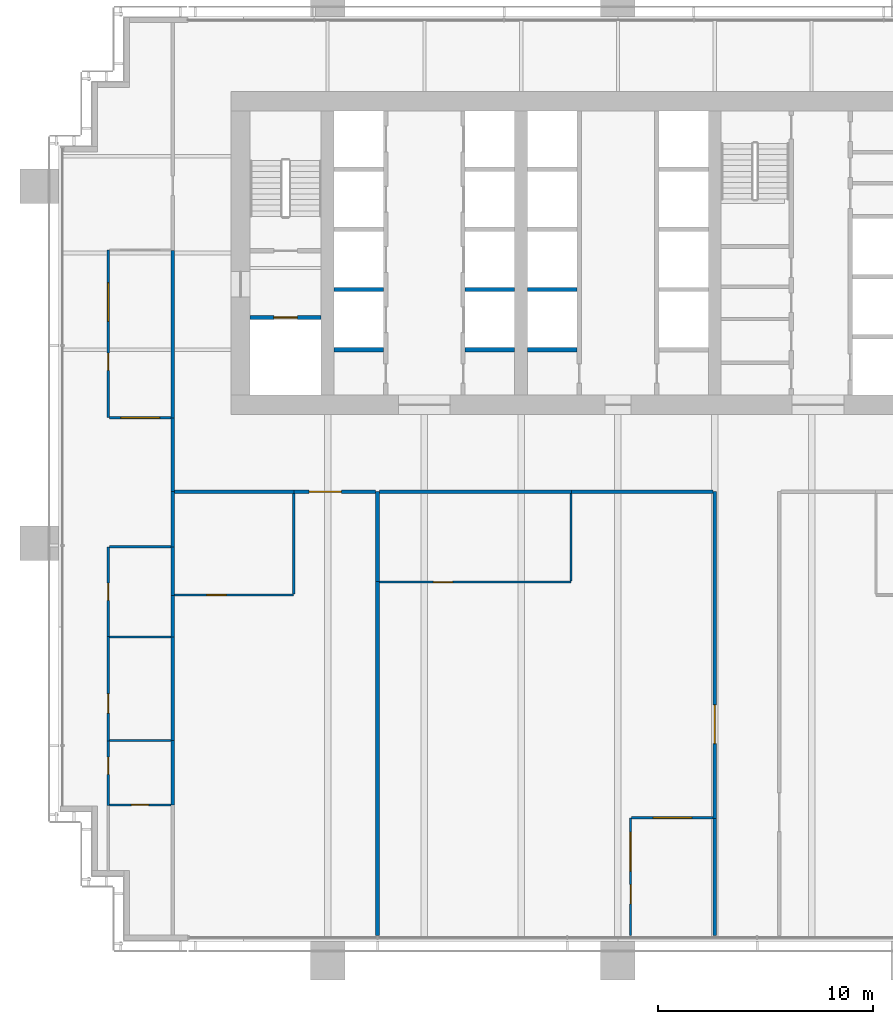
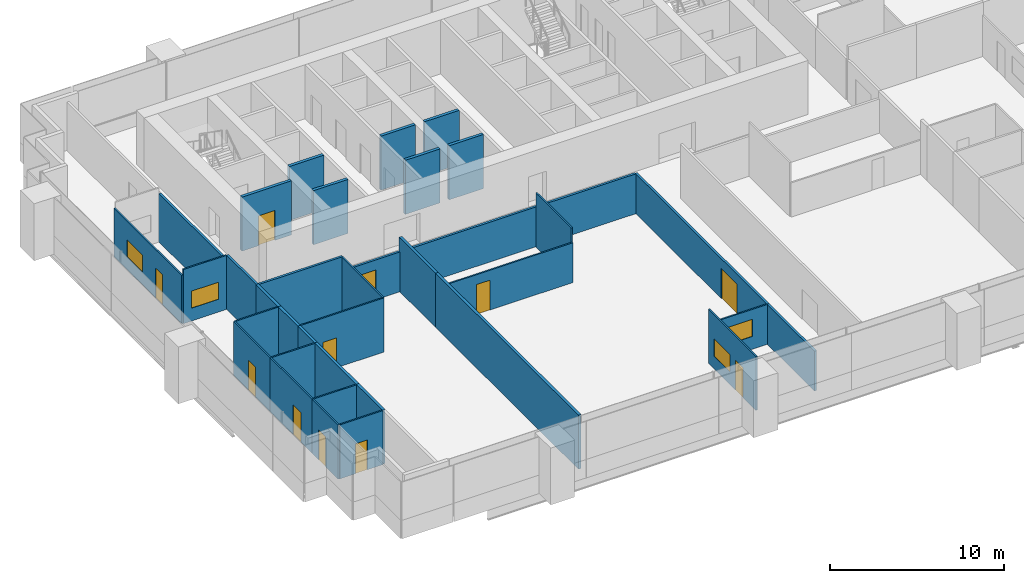
# One storey, part 12 of 19: 37 walls, 11 doors, 4 windows, 15 openings.
"""IFC4 building model written with IfcOpenShell, lengths in metres."""

from ifc_helpers import new_model, si_unit, direction, frame, frame_2d, origin, place, context, subcontext, project, spatial, rectangle, extrude, material, layer, layer_set, type_object, element, fill, save


model = new_model("IFC4")

# Units and contexts
model_context = context("Model", 3, precision=1e-05, world=origin(), true_north=direction((0.0, 1.0)))
body_context = subcontext(model_context, "Body", "Model", "MODEL_VIEW")
ifc_project = project(units=[si_unit("LENGTHUNIT", "METRE"), si_unit("AREAUNIT", "SQUARE_METRE"), si_unit("VOLUMEUNIT", "CUBIC_METRE"), si_unit("PLANEANGLEUNIT", "RADIAN"), si_unit("MASSUNIT", "GRAM", prefix="KILO")], contexts=[model_context])

# Site, building, storey
site_placement = place(None, origin())
site = spatial("IfcSite", under=ifc_project, at=site_placement, CompositionType="ELEMENT")
building_placement = place(site_placement, origin())
building = spatial("IfcBuilding", under=site, at=building_placement, Name="Rattan Terrace Tower", CompositionType="ELEMENT")
storey_placement = place(building_placement, frame((0.0, 0.0, 99.699951171875)))
storey = spatial("IfcBuildingStorey", under=building, at=storey_placement, Name="L22", CompositionType="ELEMENT", Elevation=99.699951171875)

# Wall, opening, door
ifc_material_1 = material(Name="Gypsum board partition")
ifc_layer_1 = layer(ifc_material_1, 0.199951171875)
ifc_layer_set_1 = layer_set([ifc_layer_1], Name="Core partition 200")
wall_type_1 = type_object("IfcWallType", Name="Core partition 200", PredefinedType="PARTITIONING", material=ifc_layer_set_1)
wall_1_placement = place(storey_placement, frame((-17.10009765625, -3.0, 0.0), z_axis=(0.0, 0.0, 1.0), x_axis=(1.0, 0.0, 0.0)))
wall_1 = element("IfcWall", 1, at=wall_1_placement, inside=storey, type_object=wall_type_1, Name="Fire-fighting lobby wall", PredefinedType="PARTITIONING", context=body_context, shape_type="SweptSolid", body=[
    extrude(rectangle(XDim=3.300048828125, YDim=0.199951171875, at=frame_2d((1.64990234375, 0.0))), origin(), (0.0, 0.0, 1.0), 3.800048828125),
])
opening_1_placement = place(wall_1_placement, frame((1.10009765625, 0.0, 0.0)))
opening_1 = element("IfcOpeningElement", 2, at=opening_1_placement, cuts=wall_1, Name="Opening L22-LD-FF1", PredefinedType="OPENING", context=body_context, shape_type="SweptSolid", body=[
    extrude(rectangle(XDim=1.10009765625, YDim=2.10009765625, at=frame_2d((0.550048828125, 1.050048828125))), frame((0.0, 0.110595703125, 0.0), z_axis=(0.0, -1.0, 0.0), x_axis=(1.0, 0.0, 0.0)), (0.0, 0.0, 1.0), 0.220947265625),
])
ifc_material_2 = material(Name="Brushed stainless landing door panel")
door_type_1 = type_object("IfcDoorType", Name="Core lift landing door 1100", OperationType="DOUBLE_DOOR_SLIDING", PredefinedType="DOOR", material=ifc_material_2)
door_1_placement = place(opening_1_placement, origin())
door_1 = element("IfcDoor", 3, at=door_1_placement, inside=storey, type_object=door_type_1, Name="Door L22-LD-FF1", OperationType="DOUBLE_DOOR_SLIDING", OverallHeight=2.10009765625, OverallWidth=1.10009765625, PredefinedType="DOOR", context=body_context, shape_type="SweptSolid", body=[
    extrude(rectangle(XDim=1.10009765625, YDim=2.10009765625, at=frame_2d((0.550048828125, 1.050048828125))), frame((0.0, 0.02490234375, 0.0), z_axis=(0.0, -1.0, 0.0), x_axis=(1.0, 0.0, 0.0)), (0.0, 0.0, 1.0), 0.050048828125),
])
fill(opening_1, door_1)

# Walls
ifc_material_3 = material(Name="Double steel stud acoustic partition, gypsum board, mineral wool, fire rated", Category="steel")
ifc_layer_2 = layer(ifc_material_3, 0.179931640625)
ifc_layer_set_2 = layer_set([ifc_layer_2], Name="Floors Acoustic Party Wall 180")
wall_type_2 = type_object("IfcWallType", Name="Floors Acoustic Party Wall 180", PredefinedType="PARTITIONING", material=ifc_layer_set_2)
wall_2_placement = place(storey_placement, frame((-20.699951171875, -11.080078125, 0.0), z_axis=(0.0, 0.0, 1.0), x_axis=(0.0, -1.0, 0.0)))
element("IfcWall", 4, at=wall_2_placement, inside=storey, type_object=wall_type_2, Name="pt-L22-026", PredefinedType="PARTITIONING", context=body_context, shape_type="SweptSolid", body=[
    extrude(rectangle(XDim=2.579833984375, YDim=0.179931640625, at=frame_2d((1.2900390625, 0.0))), origin(), (0.0, 0.0, 1.0), 3.800048828125),
])
wall_3_placement = place(storey_placement, frame((-20.699951171875, -22.659912109375, 0.0), z_axis=(0.0, 0.0, 1.0), x_axis=(0.0, -1.0, 0.0)))
element("IfcWall", 5, at=wall_3_placement, inside=storey, type_object=wall_type_2, Name="pt-L22-030", PredefinedType="PARTITIONING", context=body_context, shape_type="SweptSolid", body=[
    extrude(rectangle(XDim=3.0, YDim=0.179931640625, at=frame_2d((1.5, 0.0))), origin(), (0.0, 0.0, 1.0), 3.800048828125),
])
wall_4_placement = place(storey_placement, frame((-20.699951171875, -17.860107421875, 0.0), z_axis=(0.0, 0.0, 1.0), x_axis=(0.0, -1.0, 0.0)))
element("IfcWall", 6, at=wall_4_placement, inside=storey, type_object=wall_type_2, Name="pt-L22-032", PredefinedType="PARTITIONING", context=body_context, shape_type="SweptSolid", body=[
    extrude(rectangle(XDim=4.7998046875, YDim=0.179931640625, at=frame_2d((2.39990234375, 0.0))), origin(), (0.0, 0.0, 1.0), 3.800048828125),
])
wall_5_placement = place(storey_placement, frame((-20.699951171875, -15.919921875, 0.0), z_axis=(0.0, 0.0, 1.0), x_axis=(0.0, -1.0, 0.0)))
element("IfcWall", 7, at=wall_5_placement, inside=storey, type_object=wall_type_2, Name="pt-L22-033", PredefinedType="PARTITIONING", context=body_context, shape_type="SweptSolid", body=[
    extrude(rectangle(XDim=1.940185546875, YDim=0.179931640625, at=frame_2d((0.97021484375, 0.0))), origin(), (0.0, 0.0, 1.0), 3.800048828125),
])
wall_6_placement = place(storey_placement, frame((-20.699951171875, -13.659912109375, 0.0), z_axis=(0.0, 0.0, 1.0), x_axis=(0.0, -1.0, 0.0)))
element("IfcWall", 8, at=wall_6_placement, inside=storey, type_object=wall_type_2, Name="pt-L22-034", PredefinedType="PARTITIONING", context=body_context, shape_type="SweptSolid", body=[
    extrude(rectangle(XDim=2.260009765625, YDim=0.179931640625, at=frame_2d((1.1298828125, 0.0))), origin(), (0.0, 0.0, 1.0), 3.800048828125),
])
wall_7_placement = place(storey_placement, frame((-11.176025390625, -15.280029296875, 0.0), z_axis=(0.0, 0.0, 1.0), x_axis=(0.0, -1.0, 0.0)))
element("IfcWall", 9, at=wall_7_placement, inside=storey, type_object=wall_type_2, Name="pt-L22-059", PredefinedType="PARTITIONING", context=body_context, shape_type="SweptSolid", body=[
    extrude(rectangle(XDim=16.4599609375, YDim=0.179931640625, at=frame_2d((8.22998046875, 0.0))), origin(), (0.0, 0.0, 1.0), 3.800048828125),
])
wall_8_placement = place(storey_placement, frame((-11.176025390625, -11.10009765625, 0.0), z_axis=(0.0, 0.0, 1.0), x_axis=(0.0, -1.0, 0.0)))
element("IfcWall", 10, at=wall_8_placement, inside=storey, type_object=wall_type_2, Name="pt-L22-060", PredefinedType="PARTITIONING", context=body_context, shape_type="SweptSolid", body=[
    extrude(rectangle(XDim=4.179931640625, YDim=0.179931640625, at=frame_2d((2.08984375, 0.0))), origin(), (0.0, 0.0, 1.0), 3.800048828125),
])

# Wall, opening, door
ifc_material_4 = material(Name="Gypsum board partition on steel studs", Category="steel")
ifc_layer_3 = layer(ifc_material_4, 0.10009765625)
ifc_layer_set_3 = layer_set([ifc_layer_3], Name="Floors Partition 100")
wall_type_3 = type_object("IfcWallType", Name="Floors Partition 100", PredefinedType="PARTITIONING", material=ifc_layer_set_3)
wall_9_placement = place(storey_placement, frame((-23.699951171875, -22.679931640625, 0.0), z_axis=(0.0, 0.0, 1.0), x_axis=(0.0, -1.0, 0.0)))
wall_9 = element("IfcWall", 11, at=wall_9_placement, inside=storey, type_object=wall_type_3, Name="pt-L22-019", PredefinedType="PARTITIONING", context=body_context, shape_type="SweptSolid", body=[
    extrude(rectangle(XDim=3.0, YDim=0.10009765625, at=frame_2d((1.5, 0.0))), origin(), (0.0, 0.0, 1.0), 3.800048828125),
])
opening_2_placement = place(wall_9_placement, frame((0.760009765625, 0.0, 0.0)))
opening_2 = element("IfcOpeningElement", 12, at=opening_2_placement, cuts=wall_9, Name="Opening L22-D102", PredefinedType="OPENING", context=body_context, shape_type="SweptSolid", body=[
    extrude(rectangle(XDim=0.800048828125, YDim=2.10009765625, at=frame_2d((0.39990234375, 1.050048828125))), frame((0.0, 0.060546875, 0.0), z_axis=(0.0, -1.0, 0.0), x_axis=(1.0, 0.0, 0.0)), (0.0, 0.0, 1.0), 0.12109375),
])
ifc_material_5 = material(Name="Solid core timber door, painted", Category="wood")
door_type_2 = type_object("IfcDoorType", Name="Floors Store Door 800x2100", OperationType="NOTDEFINED", PredefinedType="DOOR", material=ifc_material_5)
door_2_placement = place(opening_2_placement, origin())
door_2 = element("IfcDoor", 13, at=door_2_placement, inside=storey, type_object=door_type_2, Name="d-L22-102", OperationType="SINGLE_SWING_LEFT", OverallHeight=2.10009765625, OverallWidth=0.800048828125, PredefinedType="DOOR", context=body_context, shape_type="SweptSolid", body=[
    extrude(rectangle(XDim=0.800048828125, YDim=2.10009765625, at=frame_2d((0.39990234375, 1.050048828125))), frame((0.0, 0.02490234375, 0.0), z_axis=(0.0, -1.0, 0.0), x_axis=(1.0, 0.0, 0.0)), (0.0, 0.0, 1.0), 0.050048828125),
])
fill(opening_2, door_2)

wall_10_placement = place(storey_placement, frame((-23.699951171875, -17.840087890625, 0.0), z_axis=(0.0, 0.0, 1.0), x_axis=(0.0, -1.0, 0.0)))
wall_10 = element("IfcWall", 14, at=wall_10_placement, inside=storey, type_object=wall_type_3, Name="pt-L22-020", PredefinedType="PARTITIONING", context=body_context, shape_type="SweptSolid", body=[
    extrude(rectangle(XDim=4.83984375, YDim=0.10009765625, at=frame_2d((2.419921875, 0.0))), origin(), (0.0, 0.0, 1.0), 3.800048828125),
])
opening_3_placement = place(wall_10_placement, frame((2.657958984375, 0.0, 0.0)))
opening_3 = element("IfcOpeningElement", 15, at=opening_3_placement, cuts=wall_10, Name="Opening L22-D103", PredefinedType="OPENING", context=body_context, shape_type="SweptSolid", body=[
    extrude(rectangle(XDim=0.89990234375, YDim=2.10009765625, at=frame_2d((0.449951171875, 1.050048828125))), frame((0.0, 0.060546875, 0.0), z_axis=(0.0, -1.0, 0.0), x_axis=(1.0, 0.0, 0.0)), (0.0, 0.0, 1.0), 0.12109375),
])
ifc_material_6 = material(Name="Solid core timber door, painted", Category="wood")
door_type_3 = type_object("IfcDoorType", Name="Floors Door 900x2100", OperationType="NOTDEFINED", PredefinedType="DOOR", material=ifc_material_6)
door_3_placement = place(opening_3_placement, origin())
door_3 = element("IfcDoor", 16, at=door_3_placement, inside=storey, type_object=door_type_3, Name="d-L22-103", OperationType="SINGLE_SWING_RIGHT", OverallHeight=2.10009765625, OverallWidth=0.89990234375, PredefinedType="DOOR", context=body_context, shape_type="SweptSolid", body=[
    extrude(rectangle(XDim=0.89990234375, YDim=2.10009765625, at=frame_2d((0.449951171875, 1.050048828125))), frame((0.0, 0.02490234375, 0.0), z_axis=(0.0, -1.0, 0.0), x_axis=(1.0, 0.0, 0.0)), (0.0, 0.0, 1.0), 0.050048828125),
])
fill(opening_3, door_3)

wall_11_placement = place(storey_placement, frame((-23.699951171875, -13.659912109375, 0.0), z_axis=(0.0, 0.0, 1.0), x_axis=(0.0, -1.0, 0.0)))
wall_11 = element("IfcWall", 17, at=wall_11_placement, inside=storey, type_object=wall_type_3, Name="pt-L22-021", PredefinedType="PARTITIONING", context=body_context, shape_type="SweptSolid", body=[
    extrude(rectangle(XDim=4.18017578125, YDim=0.10009765625, at=frame_2d((2.090087890625, 0.0))), origin(), (0.0, 0.0, 1.0), 3.800048828125),
])
opening_4_placement = place(wall_11_placement, frame((1.68994140625, 0.0, 0.0)))
opening_4 = element("IfcOpeningElement", 18, at=opening_4_placement, cuts=wall_11, Name="Opening L22-D104", PredefinedType="OPENING", context=body_context, shape_type="SweptSolid", body=[
    extrude(rectangle(XDim=0.800048828125, YDim=2.10009765625, at=frame_2d((0.39990234375, 1.050048828125))), frame((0.0, 0.060546875, 0.0), z_axis=(0.0, -1.0, 0.0), x_axis=(1.0, 0.0, 0.0)), (0.0, 0.0, 1.0), 0.12109375),
])
door_4_placement = place(opening_4_placement, origin())
door_4 = element("IfcDoor", 19, at=door_4_placement, inside=storey, type_object=door_type_2, Name="d-L22-104", OperationType="SINGLE_SWING_LEFT", OverallHeight=2.10009765625, OverallWidth=0.800048828125, PredefinedType="DOOR", context=body_context, shape_type="SweptSolid", body=[
    extrude(rectangle(XDim=0.800048828125, YDim=2.10009765625, at=frame_2d((0.39990234375, 1.050048828125))), frame((0.0, 0.02490234375, 0.0), z_axis=(0.0, -1.0, 0.0), x_axis=(1.0, 0.0, 0.0)), (0.0, 0.0, 1.0), 0.050048828125),
])
fill(opening_4, door_4)

# Wall
wall_12_placement = place(storey_placement, frame((-20.7900390625, -13.659912109375, 0.0), z_axis=(0.0, 0.0, 1.0), x_axis=(-1.0, 0.0, 0.0)))
element("IfcWall", 20, at=wall_12_placement, inside=storey, type_object=wall_type_3, Name="pt-L22-022", PredefinedType="PARTITIONING", context=body_context, shape_type="SweptSolid", body=[
    extrude(rectangle(XDim=2.85986328125, YDim=0.10009765625, at=frame_2d((1.429931640625, 0.0))), origin(), (0.0, 0.0, 1.0), 3.800048828125),
])

# Wall, openings, door, window
wall_13_placement = place(storey_placement, frame((-23.699951171875, 0.139892578125, 0.0), z_axis=(0.0, 0.0, 1.0), x_axis=(0.0, -1.0, 0.0)))
wall_13 = element("IfcWall", 21, at=wall_13_placement, inside=storey, type_object=wall_type_3, Name="pt-L22-023", PredefinedType="PARTITIONING", context=body_context, shape_type="SweptSolid", body=[
    extrude(rectangle(XDim=7.7998046875, YDim=0.10009765625, at=frame_2d((3.89990234375, 0.0))), origin(), (0.0, 0.0, 1.0), 3.400146484375),
])
opening_5_placement = place(wall_13_placement, frame((4.800048828125, 0.0, 0.0)))
opening_5 = element("IfcOpeningElement", 22, at=opening_5_placement, cuts=wall_13, Name="Opening L22-D105", PredefinedType="OPENING", context=body_context, shape_type="SweptSolid", body=[
    extrude(rectangle(XDim=0.800048828125, YDim=2.10009765625, at=frame_2d((0.39990234375, 1.050048828125))), frame((0.0, 0.060546875, 0.0), z_axis=(0.0, -1.0, 0.0), x_axis=(1.0, 0.0, 0.0)), (0.0, 0.0, 1.0), 0.12109375),
])
opening_6_placement = place(wall_13_placement, frame((1.52490234375, 0.0, 0.89990234375)))
opening_6 = element("IfcOpeningElement", 23, at=opening_6_placement, cuts=wall_13, Name="Opening L22-W100", PredefinedType="OPENING", context=body_context, shape_type="SweptSolid", body=[
    extrude(rectangle(XDim=1.800048828125, YDim=1.199951171875, at=frame_2d((0.89990234375, 0.60009765625))), frame((0.0, 0.060546875, 0.0), z_axis=(0.0, -1.0, 0.0), x_axis=(1.0, 0.0, 0.0)), (0.0, 0.0, 1.0), 0.12109375),
])
door_5_placement = place(opening_5_placement, origin())
door_5 = element("IfcDoor", 24, at=door_5_placement, inside=storey, type_object=door_type_2, Name="d-L22-105", OperationType="SINGLE_SWING_RIGHT", OverallHeight=2.10009765625, OverallWidth=0.800048828125, PredefinedType="DOOR", context=body_context, shape_type="SweptSolid", body=[
    extrude(rectangle(XDim=0.800048828125, YDim=2.10009765625, at=frame_2d((0.39990234375, 1.050048828125))), frame((0.0, 0.02490234375, 0.0), z_axis=(0.0, -1.0, 0.0), x_axis=(1.0, 0.0, 0.0)), (0.0, 0.0, 1.0), 0.050048828125),
])
fill(opening_5, door_5)
ifc_material_7 = material(Name="Glass, clear, fixed in aluminium frame", Category="aluminium")
window_type = type_object("IfcWindowType", Name="Interior Vision Window 1800x1200", PartitioningType="SINGLE_PANEL", PredefinedType="WINDOW", material=ifc_material_7)
window_1_placement = place(opening_6_placement, origin())
window_1 = element("IfcWindow", 25, at=window_1_placement, inside=storey, type_object=window_type, Name="w-L22-100", OverallHeight=1.199951171875, OverallWidth=1.800048828125, PartitioningType="SINGLE_PANEL", PredefinedType="WINDOW", context=body_context, shape_type="SweptSolid", body=[
    extrude(rectangle(XDim=1.800048828125, YDim=1.199951171875, at=frame_2d((0.89990234375, 0.60009765625))), frame((0.0, 0.030029296875, 0.0), z_axis=(0.0, -1.0, 0.0), x_axis=(1.0, 0.0, 0.0)), (0.0, 0.0, 1.0), 0.06005859375),
])
fill(opening_6, window_1)

# Wall, opening, window
wall_14_placement = place(storey_placement, frame((-23.64990234375, -7.659912109375, 0.0), z_axis=(0.0, 0.0, 1.0), x_axis=(1.0, 0.0, 0.0)))
wall_14 = element("IfcWall", 26, at=wall_14_placement, inside=storey, type_object=wall_type_3, Name="pt-L22-024", PredefinedType="PARTITIONING", context=body_context, shape_type="SweptSolid", body=[
    extrude(rectangle(XDim=2.875, YDim=0.10009765625, at=frame_2d((1.4375, 0.0))), origin(), (0.0, 0.0, 1.0), 3.800048828125),
])
opening_7_placement = place(wall_14_placement, frame((0.537109375, 0.0, 0.89990234375)))
opening_7 = element("IfcOpeningElement", 27, at=opening_7_placement, cuts=wall_14, Name="Opening L22-W101", PredefinedType="OPENING", context=body_context, shape_type="SweptSolid", body=[
    extrude(rectangle(XDim=1.800048828125, YDim=1.199951171875, at=frame_2d((0.89990234375, 0.60009765625))), frame((0.0, 0.060546875, 0.0), z_axis=(0.0, -1.0, 0.0), x_axis=(1.0, 0.0, 0.0)), (0.0, 0.0, 1.0), 0.12109375),
])
window_2_placement = place(opening_7_placement, origin())
window_2 = element("IfcWindow", 28, at=window_2_placement, inside=storey, type_object=window_type, Name="w-L22-101", OverallHeight=1.199951171875, OverallWidth=1.800048828125, PartitioningType="SINGLE_PANEL", PredefinedType="WINDOW", context=body_context, shape_type="SweptSolid", body=[
    extrude(rectangle(XDim=1.800048828125, YDim=1.199951171875, at=frame_2d((0.89990234375, 0.60009765625))), frame((0.0, 0.030029296875, 0.0), z_axis=(0.0, -1.0, 0.0), x_axis=(1.0, 0.0, 0.0)), (0.0, 0.0, 1.0), 0.06005859375),
])
fill(opening_7, window_2)

# Wall, opening, door
wall_15_placement = place(storey_placement, frame((-20.7900390625, -25.659912109375, 0.0), z_axis=(0.0, 0.0, 1.0), x_axis=(-1.0, 0.0, 0.0)))
wall_15 = element("IfcWall", 29, at=wall_15_placement, inside=storey, type_object=wall_type_3, Name="pt-L22-027", PredefinedType="PARTITIONING", context=body_context, shape_type="SweptSolid", body=[
    extrude(rectangle(XDim=2.85986328125, YDim=0.10009765625, at=frame_2d((1.429931640625, 0.0))), origin(), (0.0, 0.0, 1.0), 3.800048828125),
])
opening_8_placement = place(wall_15_placement, frame((1.030029296875, 0.0, 0.0)))
opening_8 = element("IfcOpeningElement", 30, at=opening_8_placement, cuts=wall_15, Name="Opening L22-D101", PredefinedType="OPENING", context=body_context, shape_type="SweptSolid", body=[
    extrude(rectangle(XDim=0.800048828125, YDim=2.10009765625, at=frame_2d((0.39990234375, 1.050048828125))), frame((0.0, 0.060546875, 0.0), z_axis=(0.0, -1.0, 0.0), x_axis=(1.0, 0.0, 0.0)), (0.0, 0.0, 1.0), 0.12109375),
])
door_6_placement = place(opening_8_placement, origin())
door_6 = element("IfcDoor", 31, at=door_6_placement, inside=storey, type_object=door_type_2, Name="d-L22-101", OperationType="SINGLE_SWING_RIGHT", OverallHeight=2.10009765625, OverallWidth=0.800048828125, PredefinedType="DOOR", context=body_context, shape_type="SweptSolid", body=[
    extrude(rectangle(XDim=0.800048828125, YDim=2.10009765625, at=frame_2d((0.39990234375, 1.050048828125))), frame((0.0, 0.02490234375, 0.0), z_axis=(0.0, -1.0, 0.0), x_axis=(1.0, 0.0, 0.0)), (0.0, 0.0, 1.0), 0.050048828125),
])
fill(opening_8, door_6)

# Walls
for number, where, z_axis, x_axis, name in (
    (32, (-23.64990234375, -22.659912109375, 0.0), (0.0, 0.0, 1.0), (1.0, 0.0, 0.0), "pt-L22-029"),
    (33, (-23.64990234375, -17.860107421875, 0.0), (0.0, 0.0, 1.0), (1.0, 0.0, 0.0), "pt-L22-031"),
):
    element("IfcWall", number, at=place(storey_placement, frame(where, z_axis=z_axis, x_axis=x_axis)), inside=storey, type_object=wall_type_3, Name=name, PredefinedType="PARTITIONING", context=body_context, shape_type="SweptSolid", body=[
        extrude(rectangle(XDim=2.85986328125, YDim=0.10009765625, at=frame_2d((1.429931640625, 0.0))), origin(), (0.0, 0.0, 1.0), 3.800048828125),
    ])

# Wall, opening, door
wall_16_placement = place(storey_placement, frame((-20.610107421875, -15.89990234375, 0.0), z_axis=(0.0, 0.0, 1.0), x_axis=(1.0, 0.0, 0.0)))
wall_16 = element("IfcWall", 34, at=wall_16_placement, inside=storey, type_object=wall_type_3, Name="pt-L22-057", PredefinedType="PARTITIONING", context=body_context, shape_type="SweptSolid", body=[
    extrude(rectangle(XDim=5.5341796875, YDim=0.10009765625, at=frame_2d((2.76708984375, 0.0))), origin(), (0.0, 0.0, 1.0), 3.800048828125),
])
opening_9_placement = place(wall_16_placement, frame((1.489990234375, 0.0, 0.0)))
opening_9 = element("IfcOpeningElement", 35, at=opening_9_placement, cuts=wall_16, Name="Opening L22-D116", PredefinedType="OPENING", context=body_context, shape_type="SweptSolid", body=[
    extrude(rectangle(XDim=0.89990234375, YDim=2.10009765625, at=frame_2d((0.449951171875, 1.050048828125))), frame((0.0, 0.060546875, 0.0), z_axis=(0.0, -1.0, 0.0), x_axis=(1.0, 0.0, 0.0)), (0.0, 0.0, 1.0), 0.12109375),
])
door_7_placement = place(opening_9_placement, origin())
door_7 = element("IfcDoor", 36, at=door_7_placement, inside=storey, type_object=door_type_3, Name="d-L22-116", OperationType="SINGLE_SWING_LEFT", OverallHeight=2.10009765625, OverallWidth=0.89990234375, PredefinedType="DOOR", context=body_context, shape_type="SweptSolid", body=[
    extrude(rectangle(XDim=0.89990234375, YDim=2.10009765625, at=frame_2d((0.449951171875, 1.050048828125))), frame((0.0, 0.02490234375, 0.0), z_axis=(0.0, -1.0, 0.0), x_axis=(1.0, 0.0, 0.0)), (0.0, 0.0, 1.0), 0.050048828125),
])
fill(opening_9, door_7)

# Wall
wall_17_placement = place(storey_placement, frame((-15.075927734375, -15.85009765625, 0.0), z_axis=(0.0, 0.0, 1.0), x_axis=(0.0, 1.0, 0.0)))
element("IfcWall", 37, at=wall_17_placement, inside=storey, type_object=wall_type_3, Name="pt-L22-058", PredefinedType="PARTITIONING", context=body_context, shape_type="SweptSolid", body=[
    extrude(rectangle(XDim=4.675048828125, YDim=0.10009765625, at=frame_2d((2.33740234375, 0.0))), origin(), (0.0, 0.0, 1.0), 3.800048828125),
])

# Wall, openings, door, window
wall_18_placement = place(storey_placement, frame((0.587890625, -26.260009765625, 0.0), z_axis=(0.0, 0.0, 1.0), x_axis=(0.0, -1.0, 0.0)))
wall_18 = element("IfcWall", 38, at=wall_18_placement, inside=storey, type_object=wall_type_3, Name="pt-L22-061", PredefinedType="PARTITIONING", context=body_context, shape_type="SweptSolid", body=[
    extrude(rectangle(XDim=5.47998046875, YDim=0.10009765625, at=frame_2d((2.739990234375, 0.0))), origin(), (0.0, 0.0, 1.0), 3.800048828125),
])
opening_10_placement = place(wall_18_placement, frame((3.10595703125, 0.0, 0.0)))
opening_10 = element("IfcOpeningElement", 39, at=opening_10_placement, cuts=wall_18, Name="Opening L22-D118", PredefinedType="OPENING", context=body_context, shape_type="SweptSolid", body=[
    extrude(rectangle(XDim=0.89990234375, YDim=2.10009765625, at=frame_2d((0.449951171875, 1.050048828125))), frame((0.0, 0.060546875, 0.0), z_axis=(0.0, -1.0, 0.0), x_axis=(1.0, 0.0, 0.0)), (0.0, 0.0, 1.0), 0.12109375),
])
opening_11_placement = place(wall_18_placement, frame((0.677978515625, 0.0, 0.89990234375)))
opening_11 = element("IfcOpeningElement", 40, at=opening_11_placement, cuts=wall_18, Name="Opening L22-W107", PredefinedType="OPENING", context=body_context, shape_type="SweptSolid", body=[
    extrude(rectangle(XDim=1.800048828125, YDim=1.199951171875, at=frame_2d((0.89990234375, 0.60009765625))), frame((0.0, 0.060546875, 0.0), z_axis=(0.0, -1.0, 0.0), x_axis=(1.0, 0.0, 0.0)), (0.0, 0.0, 1.0), 0.12109375),
])
door_8_placement = place(opening_10_placement, origin())
door_8 = element("IfcDoor", 41, at=door_8_placement, inside=storey, type_object=door_type_3, Name="d-L22-118", OperationType="SINGLE_SWING_RIGHT", OverallHeight=2.10009765625, OverallWidth=0.89990234375, PredefinedType="DOOR", context=body_context, shape_type="SweptSolid", body=[
    extrude(rectangle(XDim=0.89990234375, YDim=2.10009765625, at=frame_2d((0.449951171875, 1.050048828125))), frame((0.0, 0.02490234375, 0.0), z_axis=(0.0, -1.0, 0.0), x_axis=(1.0, 0.0, 0.0)), (0.0, 0.0, 1.0), 0.050048828125),
])
fill(opening_10, door_8)
window_3_placement = place(opening_11_placement, origin())
window_3 = element("IfcWindow", 42, at=window_3_placement, inside=storey, type_object=window_type, Name="w-L22-107", OverallHeight=1.199951171875, OverallWidth=1.800048828125, PartitioningType="SINGLE_PANEL", PredefinedType="WINDOW", context=body_context, shape_type="SweptSolid", body=[
    extrude(rectangle(XDim=1.800048828125, YDim=1.199951171875, at=frame_2d((0.89990234375, 0.60009765625))), frame((0.0, 0.030029296875, 0.0), z_axis=(0.0, -1.0, 0.0), x_axis=(1.0, 0.0, 0.0)), (0.0, 0.0, 1.0), 0.06005859375),
])
fill(opening_11, window_3)

# Wall, opening, window
wall_19_placement = place(storey_placement, frame((4.425048828125, -26.260009765625, 0.0), z_axis=(0.0, 0.0, 1.0), x_axis=(-1.0, 0.0, 0.0)))
wall_19 = element("IfcWall", 43, at=wall_19_placement, inside=storey, type_object=wall_type_3, Name="pt-L22-062", PredefinedType="PARTITIONING", context=body_context, shape_type="SweptSolid", body=[
    extrude(rectangle(XDim=3.787109375, YDim=0.10009765625, at=frame_2d((1.8935546875, 0.0))), origin(), (0.0, 0.0, 1.0), 2.800048828125),
])
opening_12_placement = place(wall_19_placement, frame((0.992919921875, 0.0, 0.89990234375)))
opening_12 = element("IfcOpeningElement", 44, at=opening_12_placement, cuts=wall_19, Name="Opening L22-W108", PredefinedType="OPENING", context=body_context, shape_type="SweptSolid", body=[
    extrude(rectangle(XDim=1.800048828125, YDim=1.199951171875, at=frame_2d((0.89990234375, 0.60009765625))), frame((0.0, 0.060546875, 0.0), z_axis=(0.0, -1.0, 0.0), x_axis=(1.0, 0.0, 0.0)), (0.0, 0.0, 1.0), 0.12109375),
])
window_4_placement = place(opening_12_placement, origin())
window_4 = element("IfcWindow", 45, at=window_4_placement, inside=storey, type_object=window_type, Name="w-L22-108", OverallHeight=1.199951171875, OverallWidth=1.800048828125, PartitioningType="SINGLE_PANEL", PredefinedType="WINDOW", context=body_context, shape_type="SweptSolid", body=[
    extrude(rectangle(XDim=1.800048828125, YDim=1.199951171875, at=frame_2d((0.89990234375, 0.60009765625))), frame((0.0, 0.030029296875, 0.0), z_axis=(0.0, -1.0, 0.0), x_axis=(1.0, 0.0, 0.0)), (0.0, 0.0, 1.0), 0.06005859375),
])
fill(opening_12, window_4)

# Wall, opening, door
wall_20_placement = place(storey_placement, frame((-11.0859375, -15.300048828125, 0.0), z_axis=(0.0, 0.0, 1.0), x_axis=(1.0, 0.0, 0.0)))
wall_20 = element("IfcWall", 46, at=wall_20_placement, inside=storey, type_object=wall_type_3, Name="pt-L22-063", PredefinedType="PARTITIONING", context=body_context, shape_type="SweptSolid", body=[
    extrude(rectangle(XDim=8.909912109375, YDim=0.10009765625, at=frame_2d((4.455078125, 0.0))), origin(), (0.0, 0.0, 1.0), 2.800048828125),
])
opening_13_placement = place(wall_20_placement, frame((2.5029296875, 0.0, 0.0)))
opening_13 = element("IfcOpeningElement", 47, at=opening_13_placement, cuts=wall_20, Name="Opening L22-D119", PredefinedType="OPENING", context=body_context, shape_type="SweptSolid", body=[
    extrude(rectangle(XDim=0.89990234375, YDim=2.10009765625, at=frame_2d((0.449951171875, 1.050048828125))), frame((0.0, 0.060546875, 0.0), z_axis=(0.0, -1.0, 0.0), x_axis=(1.0, 0.0, 0.0)), (0.0, 0.0, 1.0), 0.12109375),
])
door_9_placement = place(opening_13_placement, origin())
door_9 = element("IfcDoor", 48, at=door_9_placement, inside=storey, type_object=door_type_3, Name="d-L22-119", OperationType="SINGLE_SWING_LEFT", OverallHeight=2.10009765625, OverallWidth=0.89990234375, PredefinedType="DOOR", context=body_context, shape_type="SweptSolid", body=[
    extrude(rectangle(XDim=0.89990234375, YDim=2.10009765625, at=frame_2d((0.449951171875, 1.050048828125))), frame((0.0, 0.02490234375, 0.0), z_axis=(0.0, -1.0, 0.0), x_axis=(1.0, 0.0, 0.0)), (0.0, 0.0, 1.0), 0.050048828125),
])
fill(opening_13, door_9)

# Walls
wall_21_placement = place(storey_placement, frame((-2.176025390625, -15.25, 0.0), z_axis=(0.0, 0.0, 1.0), x_axis=(0.0, 1.0, 0.0)))
element("IfcWall", 49, at=wall_21_placement, inside=storey, type_object=wall_type_3, Name="pt-L22-064", PredefinedType="PARTITIONING", context=body_context, shape_type="SweptSolid", body=[
    extrude(rectangle(XDim=4.074951171875, YDim=0.10009765625, at=frame_2d((2.03759765625, 0.0))), origin(), (0.0, 0.0, 1.0), 3.800048828125),
])
ifc_material_8 = material(Name="Gypsum board partition on steel studs, fire rated", Category="steel")
ifc_layer_4 = layer(ifc_material_8, 0.14990234375)
ifc_layer_set_4 = layer_set([ifc_layer_4], Name="Floors Tenancy Wall 150")
wall_type_4 = type_object("IfcWallType", Name="Floors Tenancy Wall 150", PredefinedType="PARTITIONING", material=ifc_layer_set_4)
wall_22_placement = place(storey_placement, frame((-20.699951171875, -11.080078125, 0.0), z_axis=(0.0, 0.0, 1.0), x_axis=(0.0, 1.0, 0.0)))
element("IfcWall", 50, at=wall_22_placement, inside=storey, type_object=wall_type_4, Name="pt-L22-001", PredefinedType="PARTITIONING", context=body_context, shape_type="SweptSolid", body=[
    extrude(rectangle(XDim=3.400146484375, YDim=0.14990234375, at=frame_2d((1.7001953125, 0.0))), origin(), (0.0, 0.0, 1.0), 3.800048828125),
])
wall_23_placement = place(storey_placement, frame((-20.699951171875, -7.679931640625, 0.0), z_axis=(0.0, 0.0, 1.0), x_axis=(0.0, 1.0, 0.0)))
element("IfcWall", 51, at=wall_23_placement, inside=storey, type_object=wall_type_4, Name="pt-L22-003", PredefinedType="PARTITIONING", context=body_context, shape_type="SweptSolid", body=[
    extrude(rectangle(XDim=7.800048828125, YDim=0.14990234375, at=frame_2d((3.89990234375, 0.0))), origin(), (0.0, 0.0, 1.0), 3.400146484375),
])

# Wall, opening, door
wall_24_placement = place(storey_placement, frame((-11.26611328125, -11.10009765625, 0.0), z_axis=(0.0, 0.0, 1.0), x_axis=(-1.0, 0.0, 0.0)))
wall_24 = element("IfcWall", 52, at=wall_24_placement, inside=storey, type_object=wall_type_4, Name="pt-L22-009", PredefinedType="PARTITIONING", context=body_context, shape_type="SweptSolid", body=[
    extrude(rectangle(XDim=3.789794921875, YDim=0.14990234375, at=frame_2d((1.89501953125, 0.0))), origin(), (0.0, 0.0, 1.0), 2.800048828125),
])
opening_14_placement = place(wall_24_placement, frame((1.592041015625, 0.0, 0.0)))
opening_14 = element("IfcOpeningElement", 53, at=opening_14_placement, cuts=wall_24, Name="Opening L22-D115", PredefinedType="OPENING", context=body_context, shape_type="SweptSolid", body=[
    extrude(rectangle(XDim=1.5, YDim=2.10009765625, at=frame_2d((0.75, 1.050048828125))), frame((0.0, 0.08544921875, 0.0), z_axis=(0.0, -1.0, 0.0), x_axis=(1.0, 0.0, 0.0)), (0.0, 0.0, 1.0), 0.1708984375),
])
ifc_material_9 = material(Name="Steel fire door set", Category="steel")
door_type_4 = type_object("IfcDoorType", Name="Floors Unit Door Pair FD30S 1500x2100", OperationType="NOTDEFINED", PredefinedType="DOOR", material=ifc_material_9)
door_10_placement = place(opening_14_placement, origin())
door_10 = element("IfcDoor", 54, at=door_10_placement, inside=storey, type_object=door_type_4, Name="d-L22-115", OperationType="DOUBLE_DOOR_SINGLE_SWING", OverallHeight=2.10009765625, OverallWidth=1.5, PredefinedType="DOOR", context=body_context, shape_type="SweptSolid", body=[
    extrude(rectangle(XDim=1.5, YDim=2.10009765625, at=frame_2d((0.75, 1.050048828125))), frame((0.0, 0.02490234375, 0.0), z_axis=(0.0, -1.0, 0.0), x_axis=(1.0, 0.0, 0.0)), (0.0, 0.0, 1.0), 0.050048828125),
])
fill(opening_14, door_10)

# Walls
wall_25_placement = place(storey_placement, frame((-15.055908203125, -11.10009765625, 0.0), z_axis=(0.0, 0.0, 1.0), x_axis=(-1.0, 0.0, 0.0)))
element("IfcWall", 55, at=wall_25_placement, inside=storey, type_object=wall_type_4, Name="pt-L22-010", PredefinedType="PARTITIONING", context=body_context, shape_type="SweptSolid", body=[
    extrude(rectangle(XDim=5.55419921875, YDim=0.14990234375, at=frame_2d((2.777099609375, 0.0))), origin(), (0.0, 0.0, 1.0), 3.800048828125),
])
wall_26_placement = place(storey_placement, frame((4.425048828125, -11.10009765625, 0.0), z_axis=(0.0, 0.0, 1.0), x_axis=(-1.0, 0.0, 0.0)))
element("IfcWall", 56, at=wall_26_placement, inside=storey, type_object=wall_type_4, Name="pt-L22-011", PredefinedType="PARTITIONING", context=body_context, shape_type="SweptSolid", body=[
    extrude(rectangle(XDim=6.5810546875, YDim=0.14990234375, at=frame_2d((3.29052734375, 0.0))), origin(), (0.0, 0.0, 1.0), 2.800048828125),
])

# Wall, opening, door
wall_27_placement = place(storey_placement, frame((4.5, -26.280029296875, 0.0), z_axis=(0.0, 0.0, 1.0), x_axis=(0.0, 1.0, 0.0)))
wall_27 = element("IfcWall", 57, at=wall_27_placement, inside=storey, type_object=wall_type_4, Name="pt-L22-012", PredefinedType="PARTITIONING", context=body_context, shape_type="SweptSolid", body=[
    extrude(rectangle(XDim=15.179931640625, YDim=0.14990234375, at=frame_2d((7.58984375, 0.0))), origin(), (0.0, 0.0, 1.0), 2.800048828125),
])
opening_15_placement = place(wall_27_placement, frame((3.469970703125, 0.0, 0.0)))
opening_15 = element("IfcOpeningElement", 58, at=opening_15_placement, cuts=wall_27, Name="Opening L22-D117", PredefinedType="OPENING", context=body_context, shape_type="SweptSolid", body=[
    extrude(rectangle(XDim=1.800048828125, YDim=2.10009765625, at=frame_2d((0.89990234375, 1.050048828125))), frame((0.0, 0.08544921875, 0.0), z_axis=(0.0, -1.0, 0.0), x_axis=(1.0, 0.0, 0.0)), (0.0, 0.0, 1.0), 0.1708984375),
])
ifc_material_10 = material(Name="Steel fire door set", Category="steel")
door_type_5 = type_object("IfcDoorType", Name="Floors Fire Door Pair FD30S 1800x2100", OperationType="NOTDEFINED", PredefinedType="DOOR", material=ifc_material_10)
door_11_placement = place(opening_15_placement, origin())
door_11 = element("IfcDoor", 59, at=door_11_placement, inside=storey, type_object=door_type_5, Name="d-L22-117", OperationType="DOUBLE_DOOR_SINGLE_SWING", OverallHeight=2.10009765625, OverallWidth=1.800048828125, PredefinedType="DOOR", context=body_context, shape_type="SweptSolid", body=[
    extrude(rectangle(XDim=1.800048828125, YDim=2.10009765625, at=frame_2d((0.89990234375, 1.050048828125))), frame((0.0, 0.02490234375, 0.0), z_axis=(0.0, -1.0, 0.0), x_axis=(1.0, 0.0, 0.0)), (0.0, 0.0, 1.0), 0.050048828125),
])
fill(opening_15, door_11)

# Walls
wall_28_placement = place(storey_placement, frame((4.5, -31.739990234375, 0.0), z_axis=(0.0, 0.0, 1.0), x_axis=(0.0, 1.0, 0.0)))
element("IfcWall", 60, at=wall_28_placement, inside=storey, type_object=wall_type_4, Name="pt-L22-013", PredefinedType="PARTITIONING", context=body_context, shape_type="SweptSolid", body=[
    extrude(rectangle(XDim=5.4599609375, YDim=0.14990234375, at=frame_2d((2.72998046875, 0.0))), origin(), (0.0, 0.0, 1.0), 2.800048828125),
])
wall_29_placement = place(storey_placement, frame((-2.156005859375, -11.10009765625, 0.0), z_axis=(0.0, 0.0, 1.0), x_axis=(-1.0, 0.0, 0.0)))
element("IfcWall", 61, at=wall_29_placement, inside=storey, type_object=wall_type_4, Name="pt-L22-014", PredefinedType="PARTITIONING", context=body_context, shape_type="SweptSolid", body=[
    extrude(rectangle(XDim=8.929931640625, YDim=0.14990234375, at=frame_2d((4.46484375, 0.0))), origin(), (0.0, 0.0, 1.0), 2.800048828125),
])
ifc_material_11 = material(Name="Gypsum shaft wall system")
ifc_layer_5 = layer(ifc_material_11, 0.199951171875)
ifc_layer_set_5 = layer_set([ifc_layer_5], Name="Lift shaft wall 200")
wall_type_5 = type_object("IfcWallType", Name="Lift shaft wall 200", PredefinedType="PARTITIONING", material=ifc_layer_set_5)
for number, where, z_axis, x_axis, name in (
    (62, (-13.199951171875, -1.699951171875, 0.0), (0.0, 0.0, 1.0), (1.0, 0.0, 0.0), "Lift shaft wall"),
    (63, (-13.199951171875, -4.5, 0.0), (0.0, 0.0, 1.0), (1.0, 0.0, 0.0), "Lift shaft wall"),
    (64, (-7.10009765625, -1.699951171875, 0.0), (0.0, 0.0, 1.0), (1.0, 0.0, 0.0), "Lift shaft wall"),
    (65, (-7.10009765625, -4.5, 0.0), (0.0, 0.0, 1.0), (1.0, 0.0, 0.0), "Lift shaft wall"),
    (66, (-4.199951171875, -1.699951171875, 0.0), (0.0, 0.0, 1.0), (1.0, 0.0, 0.0), "Lift shaft wall"),
    (67, (-4.199951171875, -4.5, 0.0), (0.0, 0.0, 1.0), (1.0, 0.0, 0.0), "Lift shaft wall"),
):
    element("IfcWall", number, at=place(storey_placement, frame(where, z_axis=z_axis, x_axis=x_axis)), inside=storey, type_object=wall_type_5, Name=name, PredefinedType="PARTITIONING", context=body_context, shape_type="SweptSolid", body=[
        extrude(rectangle(XDim=2.300048828125, YDim=0.199951171875, at=frame_2d((1.14990234375, 0.0))), origin(), (0.0, 0.0, 1.0), 3.800048828125),
    ])

save(model, "model.ifc")
